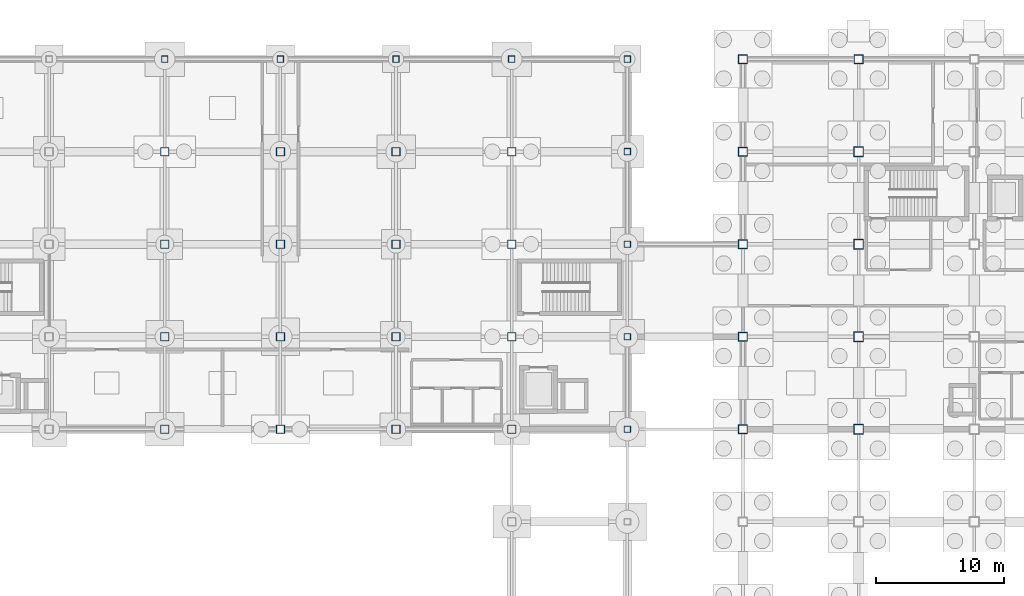
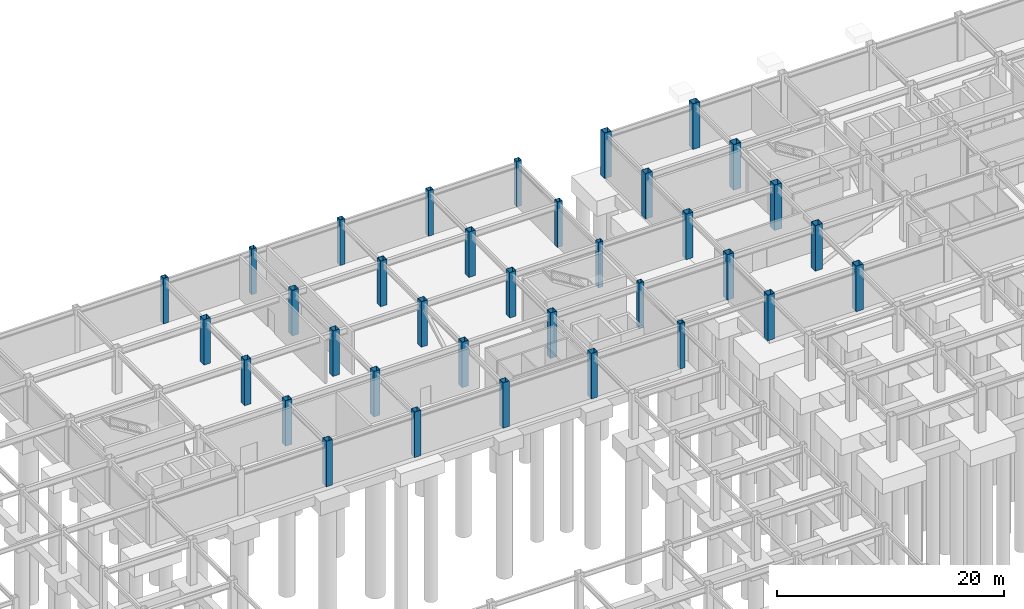
# One storey, part 15 of 28: 35 columns.
"""IFC4 building model written with IfcOpenShell, lengths in metres."""

from ifc_helpers import new_model, si_unit, direction, frame, origin, origin_2d, place, context, subcontext, project, spatial, hollow_rectangle, extrude, material, material_profile, profile_set, type_object, element, save


model = new_model("IFC4")

# Units and contexts
model_context = context("Model", 3, precision=1e-05, world=origin(), true_north=direction((0.0, 1.0)))
body_context = subcontext(model_context, "Body", "Model", "MODEL_VIEW")
ifc_project = project(units=[si_unit("LENGTHUNIT", "METRE"), si_unit("AREAUNIT", "SQUARE_METRE"), si_unit("VOLUMEUNIT", "CUBIC_METRE"), si_unit("PLANEANGLEUNIT", "RADIAN"), si_unit("MASSUNIT", "GRAM", prefix="KILO")], contexts=[model_context])

# Site, building, storey
site_placement = place(None, origin())
site = spatial("IfcSite", under=ifc_project, at=site_placement, CompositionType="ELEMENT")
building_placement = place(site_placement, origin())
building = spatial("IfcBuilding", under=site, at=building_placement, Name="Kazanami Central Library", CompositionType="ELEMENT")
storey_placement = place(building_placement, frame((0.0, 0.0, -4.89990234375)))
storey = spatial("IfcBuildingStorey", under=building, at=storey_placement, Name="B01", CompositionType="ELEMENT", Elevation=-4.89990234375)

# Columns
ifc_material = material(Name="Steel BCP325 (325 MPa)", Category="steel")
ifc_material_profile_1 = material_profile(ifc_material, hollow_rectangle(XDim=0.5, YDim=0.5, WallThickness=0.02197265625, at=origin_2d()), Name="BCP-500x500x22")
ifc_profile_set_1 = profile_set([ifc_material_profile_1], Name="Steel BCP325 (325 MPa)")
column_type_1 = type_object("IfcColumnType", Name="COL-C-P1E", PredefinedType="COLUMN", material=ifc_profile_set_1)
for number, where, z_axis, x_axis, name in (
    (1, (72.0, 93.60009765625, 0.0), (0.0, 0.0, 1.0), (1.0, 0.0, 0.0), "Column C-P1E B01 9/O"),
    (2, (81.0, 93.60009765625, 0.0), (0.0, 0.0, 1.0), (1.0, 0.0, 0.0), "Column C-P1E B01 10/O"),
    (3, (90.0, 93.60009765625, 0.0), (0.0, 0.0, 1.0), (1.0, 0.0, 0.0), "Column C-P1E B01 11/O"),
    (4, (99.0, 93.60009765625, 0.0), (0.0, 0.0, 1.0), (1.0, 0.0, 0.0), "Column C-P1E B01 12/O"),
    (5, (108.0, 64.800048828125, 0.0), (0.0, 0.0, 1.0), (1.0, 0.0, 0.0), "Column C-P1E B01 13/K"),
    (6, (108.0, 72.0, 0.0), (0.0, 0.0, 1.0), (1.0, 0.0, 0.0), "Column C-P1E B01 13/L"),
    (7, (108.0, 79.199951171875, 0.0), (0.0, 0.0, 1.0), (1.0, 0.0, 0.0), "Column C-P1E B01 13/M"),
    (8, (108.0, 86.39990234375, 0.0), (0.0, 0.0, 1.0), (1.0, 0.0, 0.0), "Column C-P1E B01 13/N"),
    (9, (108.0, 93.60009765625, 0.0), (0.0, 0.0, 1.0), (1.0, 0.0, 0.0), "Column C-P1E B01 13/O"),
):
    element("IfcColumn", number, at=place(storey_placement, frame(where, z_axis=z_axis, x_axis=x_axis)), inside=storey, type_object=column_type_1, Name=name, PredefinedType="COLUMN", context=body_context, shape_type="SweptSolid", body=[
        extrude(hollow_rectangle(XDim=0.5, YDim=0.5, WallThickness=0.02197265625, at=origin_2d()), origin(), (0.0, 0.0, 1.0), 4.89990234375),
    ])
ifc_material_profile_2 = material_profile(ifc_material, hollow_rectangle(XDim=0.64990234375, YDim=0.64990234375, WallThickness=0.02490234375, at=origin_2d()), Name="BCP-650x650x25")
ifc_profile_set_2 = profile_set([ifc_material_profile_2], Name="Steel BCP325 (325 MPa)")
column_type_2 = type_object("IfcColumnType", Name="COL-C-P1I", PredefinedType="COLUMN", material=ifc_profile_set_2)
for number, where, z_axis, x_axis, name in (
    (10, (72.0, 64.800048828125, 0.0), (0.0, 0.0, 1.0), (1.0, 0.0, 0.0), "Column C-P1I B01 9/K"),
    (11, (72.0, 72.0, 0.0), (0.0, 0.0, 1.0), (1.0, 0.0, 0.0), "Column C-P1I B01 9/L"),
    (12, (72.0, 79.199951171875, 0.0), (0.0, 0.0, 1.0), (1.0, 0.0, 0.0), "Column C-P1I B01 9/M"),
    (13, (72.0, 86.39990234375, 0.0), (0.0, 0.0, 1.0), (1.0, 0.0, 0.0), "Column C-P1I B01 9/N"),
    (14, (81.0, 64.800048828125, 0.0), (0.0, 0.0, 1.0), (1.0, 0.0, 0.0), "Column C-P1I B01 10/K"),
    (15, (81.0, 72.0, 0.0), (0.0, 0.0, 1.0), (1.0, 0.0, 0.0), "Column C-P1I B01 10/L"),
    (16, (81.0, 79.199951171875, 0.0), (0.0, 0.0, 1.0), (1.0, 0.0, 0.0), "Column C-P1I B01 10/M"),
    (17, (81.0, 86.39990234375, 0.0), (0.0, 0.0, 1.0), (1.0, 0.0, 0.0), "Column C-P1I B01 10/N"),
    (18, (90.0, 64.800048828125, 0.0), (0.0, 0.0, 1.0), (1.0, 0.0, 0.0), "Column C-P1I B01 11/K"),
    (19, (90.0, 72.0, 0.0), (0.0, 0.0, 1.0), (1.0, 0.0, 0.0), "Column C-P1I B01 11/L"),
    (20, (90.0, 79.199951171875, 0.0), (0.0, 0.0, 1.0), (1.0, 0.0, 0.0), "Column C-P1I B01 11/M"),
    (21, (90.0, 86.39990234375, 0.0), (0.0, 0.0, 1.0), (1.0, 0.0, 0.0), "Column C-P1I B01 11/N"),
    (22, (99.0, 64.800048828125, 0.0), (0.0, 0.0, 1.0), (1.0, 0.0, 0.0), "Column C-P1I B01 12/K"),
    (23, (99.0, 72.0, 0.0), (0.0, 0.0, 1.0), (1.0, 0.0, 0.0), "Column C-P1I B01 12/L"),
    (24, (99.0, 79.199951171875, 0.0), (0.0, 0.0, 1.0), (1.0, 0.0, 0.0), "Column C-P1I B01 12/M"),
    (25, (99.0, 86.39990234375, 0.0), (0.0, 0.0, 1.0), (1.0, 0.0, 0.0), "Column C-P1I B01 12/N"),
):
    element("IfcColumn", number, at=place(storey_placement, frame(where, z_axis=z_axis, x_axis=x_axis)), inside=storey, type_object=column_type_2, Name=name, PredefinedType="COLUMN", context=body_context, shape_type="SweptSolid", body=[
        extrude(hollow_rectangle(XDim=0.64990234375, YDim=0.64990234375, WallThickness=0.02490234375, at=origin_2d()), origin(), (0.0, 0.0, 1.0), 4.89990234375),
    ])
ifc_material_profile_3 = material_profile(ifc_material, hollow_rectangle(XDim=0.75, YDim=0.75, WallThickness=0.031982421875, at=origin_2d()), Name="BCP-750x750x32")
ifc_profile_set_3 = profile_set([ifc_material_profile_3], Name="Steel BCP325 (325 MPa)")
column_type_3 = type_object("IfcColumnType", Name="COL-C-T1I", PredefinedType="COLUMN", material=ifc_profile_set_3)
for number, where, z_axis, x_axis, name in (
    (26, (126.0, 64.800048828125, 0.0), (0.0, 0.0, 1.0), (1.0, 0.0, 0.0), "Column C-T1I B01 15/K"),
    (27, (126.0, 72.0, 0.0), (0.0, 0.0, 1.0), (1.0, 0.0, 0.0), "Column C-T1I B01 15/L"),
    (28, (126.0, 79.199951171875, 0.0), (0.0, 0.0, 1.0), (1.0, 0.0, 0.0), "Column C-T1I B01 15/M"),
    (29, (126.0, 86.39990234375, 0.0), (0.0, 0.0, 1.0), (1.0, 0.0, 0.0), "Column C-T1I B01 15/N"),
):
    element("IfcColumn", number, at=place(storey_placement, frame(where, z_axis=z_axis, x_axis=x_axis)), inside=storey, type_object=column_type_3, Name=name, PredefinedType="COLUMN", context=body_context, shape_type="SweptSolid", body=[
        extrude(hollow_rectangle(XDim=0.75, YDim=0.75, WallThickness=0.031982421875, at=origin_2d()), origin(), (0.0, 0.0, 1.0), 4.89990234375),
    ])
ifc_material_profile_4 = material_profile(ifc_material, hollow_rectangle(XDim=0.699951171875, YDim=0.699951171875, WallThickness=0.028076171875, at=origin_2d()), Name="BCP-700x700x28")
ifc_profile_set_4 = profile_set([ifc_material_profile_4], Name="Steel BCP325 (325 MPa)")
column_type_4 = type_object("IfcColumnType", Name="COL-C-T1P", PredefinedType="COLUMN", material=ifc_profile_set_4)
for number, where, z_axis, x_axis, name in (
    (30, (117.0, 64.800048828125, 0.0), (0.0, 0.0, 1.0), (1.0, 0.0, 0.0), "Column C-T1P B01 14/K"),
    (31, (117.0, 72.0, 0.0), (0.0, 0.0, 1.0), (1.0, 0.0, 0.0), "Column C-T1P B01 14/L"),
    (32, (117.0, 79.199951171875, 0.0), (0.0, 0.0, 1.0), (1.0, 0.0, 0.0), "Column C-T1P B01 14/M"),
    (33, (117.0, 86.39990234375, 0.0), (0.0, 0.0, 1.0), (1.0, 0.0, 0.0), "Column C-T1P B01 14/N"),
    (34, (117.0, 93.60009765625, 0.0), (0.0, 0.0, 1.0), (1.0, 0.0, 0.0), "Column C-T1P B01 14/O"),
    (35, (126.0, 93.60009765625, 0.0), (0.0, 0.0, 1.0), (1.0, 0.0, 0.0), "Column C-T1P B01 15/O"),
):
    element("IfcColumn", number, at=place(storey_placement, frame(where, z_axis=z_axis, x_axis=x_axis)), inside=storey, type_object=column_type_4, Name=name, PredefinedType="COLUMN", context=body_context, shape_type="SweptSolid", body=[
        extrude(hollow_rectangle(XDim=0.699951171875, YDim=0.699951171875, WallThickness=0.028076171875, at=origin_2d()), origin(), (0.0, 0.0, 1.0), 4.89990234375),
    ])

save(model, "model.ifc")
